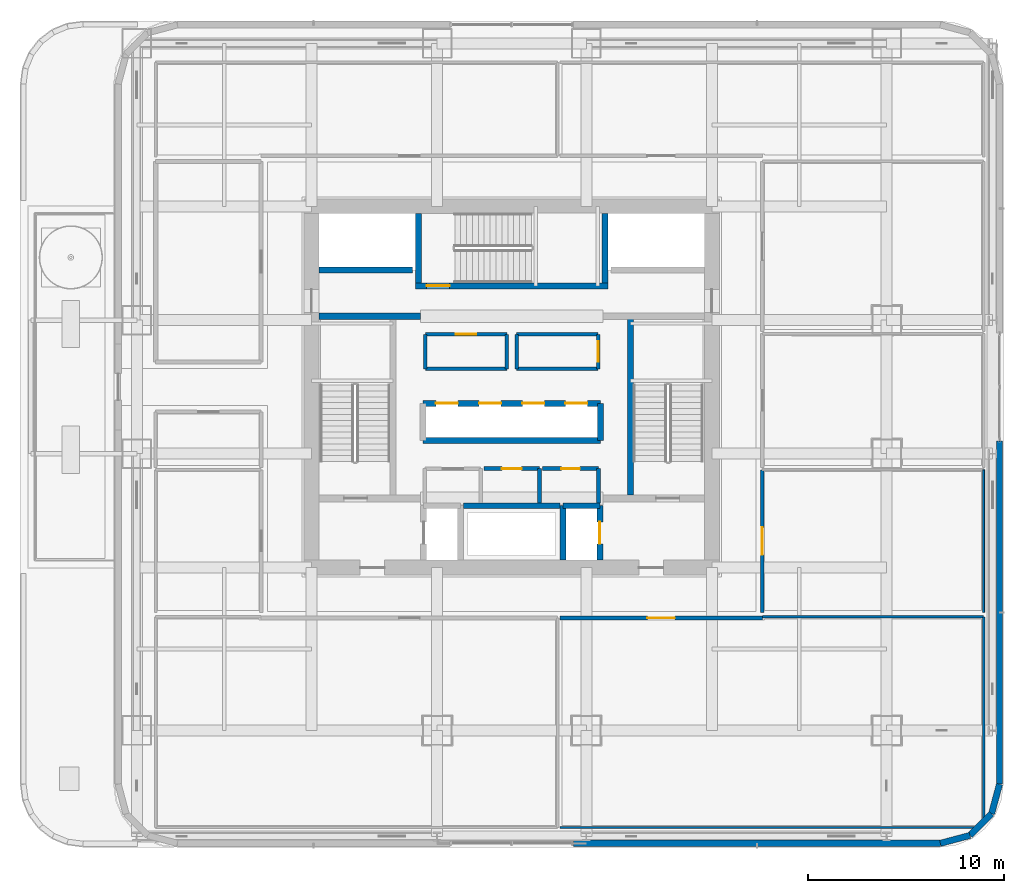
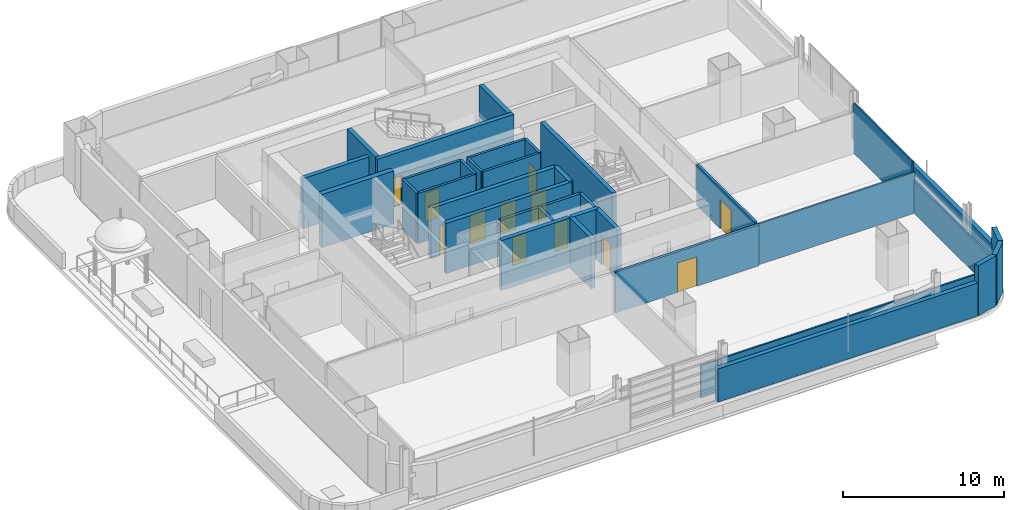
# One storey, part 12 of 27: 36 walls, 12 doors, 12 openings.
"""IFC4 building model written with IfcOpenShell, lengths in metres."""

from ifc_helpers import new_model, si_unit, direction, frame, frame_2d, origin, place, context, subcontext, project, spatial, rectangle, extrude, material, layer, layer_set, type_object, element, fill, save


model = new_model("IFC4")

# Units and contexts
model_context = context("Model", 3, precision=1e-05, world=origin(), true_north=direction((0.0, 1.0)))
body_context = subcontext(model_context, "Body", "Model", "MODEL_VIEW")
ifc_project = project(units=[si_unit("LENGTHUNIT", "METRE"), si_unit("AREAUNIT", "SQUARE_METRE"), si_unit("VOLUMEUNIT", "CUBIC_METRE"), si_unit("PLANEANGLEUNIT", "RADIAN"), si_unit("MASSUNIT", "GRAM", prefix="KILO")], contexts=[model_context])

# Site, building, storey
site_placement = place(None, origin())
site = spatial("IfcSite", under=ifc_project, at=site_placement, CompositionType="ELEMENT")
building_placement = place(site_placement, origin())
building = spatial("IfcBuilding", under=site, at=building_placement, Name="Punatoya Terracotta Tower", CompositionType="ELEMENT")
storey_placement = place(building_placement, frame((0.0, 0.0, 60.60009765625)))
storey = spatial("IfcBuildingStorey", under=building, at=storey_placement, Name="L13", CompositionType="ELEMENT", Elevation=60.60009765625)

# Wall
ifc_material_1 = material(Name="Gypsum Fireboard + Steel Stud", Category="steel")
ifc_layer_1 = layer(ifc_material_1, 0.179931640625)
ifc_layer_set_1 = layer_set([ifc_layer_1], Name="Gypsum Fireboard + Steel Stud")
wall_type_1 = type_object("IfcWallType", Name="WL-CORR-180", PredefinedType="PARTITIONING", material=ifc_layer_set_1)
wall_1_placement = place(storey_placement, frame((-0.25, 0.919921875, 0.0), z_axis=(0.0, 0.0, 1.0), x_axis=(0.0, 1.0, 0.0)))
element("IfcWall", 1, at=wall_1_placement, inside=storey, type_object=wall_type_1, Name="L13 West Core Focus Pod Partition 08", PredefinedType="PARTITIONING", context=body_context, shape_type="SweptSolid", body=[
    extrude(rectangle(XDim=1.760009765625, YDim=0.179931640625, at=frame_2d((0.8798828125, 0.0))), origin(), (0.0, 0.0, 1.0), 3.809814453125),
])

# Wall, opening, door
wall_2_placement = place(storey_placement, frame((-0.25, 2.679931640625, 0.0), z_axis=(0.0, 0.0, 1.0), x_axis=(-1.0, 0.0, 0.0)))
wall_2 = element("IfcWall", 2, at=wall_2_placement, inside=storey, type_object=wall_type_1, Name="L13 West Core Focus Pod Partition 09", PredefinedType="PARTITIONING", context=body_context, shape_type="SweptSolid", body=[
    extrude(rectangle(XDim=4.14990234375, YDim=0.179931640625, at=frame_2d((2.074951171875, 0.0))), origin(), (0.0, 0.0, 1.0), 3.809814453125),
])
opening_1_placement = place(wall_2_placement, frame((1.550048828125, 0.0, 0.0)))
opening_1 = element("IfcOpeningElement", 3, at=opening_1_placement, cuts=wall_2, Name="Opening OD-01", PredefinedType="OPENING", context=body_context, shape_type="SweptSolid", body=[
    extrude(rectangle(XDim=1.050048828125, YDim=2.199951171875, at=frame_2d((0.52490234375, 1.10009765625))), frame((0.0, 0.099853515625, 0.0), z_axis=(0.0, -1.0, 0.0), x_axis=(1.0, 0.0, 0.0)), (0.0, 0.0, 1.0), 0.199951171875),
])
ifc_material_2 = material(Name="Bengal Teak Solid-Core Leaf")
door_type_1 = type_object("IfcDoorType", Name="DR-OFF-1050", OperationType="NOTDEFINED", PredefinedType="DOOR", material=ifc_material_2)
door_1_placement = place(opening_1_placement, origin())
door_1 = element("IfcDoor", 4, at=door_1_placement, inside=storey, type_object=door_type_1, Name="L13 West Focus Pod Door", OperationType="SINGLE_SWING_LEFT", OverallHeight=2.199951171875, OverallWidth=1.050048828125, PredefinedType="DOOR", context=body_context, shape_type="SweptSolid", body=[
    extrude(rectangle(XDim=1.050048828125, YDim=2.199951171875, at=frame_2d((0.52490234375, 1.10009765625))), frame((0.0, 0.02490234375, 0.0), z_axis=(0.0, -1.0, 0.0), x_axis=(1.0, 0.0, 0.0)), (0.0, 0.0, 1.0), 0.050048828125),
])
fill(opening_1, door_1)

# Walls
wall_3_placement = place(storey_placement, frame((-4.39990234375, 2.679931640625, 0.0), z_axis=(0.0, 0.0, 1.0), x_axis=(0.0, -1.0, 0.0)))
element("IfcWall", 5, at=wall_3_placement, inside=storey, type_object=wall_type_1, Name="L13 West Core Focus Pod Partition 10", PredefinedType="PARTITIONING", context=body_context, shape_type="SweptSolid", body=[
    extrude(rectangle(XDim=1.760009765625, YDim=0.179931640625, at=frame_2d((0.8798828125, 0.0))), origin(), (0.0, 0.0, 1.0), 3.809814453125),
])
wall_4_placement = place(storey_placement, frame((-4.39990234375, 0.919921875, 0.0), z_axis=(0.0, 0.0, 1.0), x_axis=(1.0, 0.0, 0.0)))
element("IfcWall", 6, at=wall_4_placement, inside=storey, type_object=wall_type_1, Name="L13 West Core Focus Pod Partition 11", PredefinedType="PARTITIONING", context=body_context, shape_type="SweptSolid", body=[
    extrude(rectangle(XDim=4.14990234375, YDim=0.179931640625, at=frame_2d((2.074951171875, 0.0))), origin(), (0.0, 0.0, 1.0), 3.809814453125),
])

# Wall, opening, door
wall_5_placement = place(storey_placement, frame((4.39990234375, 0.919921875, 0.0), z_axis=(0.0, 0.0, 1.0), x_axis=(0.0, 1.0, 0.0)))
wall_5 = element("IfcWall", 7, at=wall_5_placement, inside=storey, type_object=wall_type_1, Name="L13 East Core Wellness Room Partition 12", PredefinedType="PARTITIONING", context=body_context, shape_type="SweptSolid", body=[
    extrude(rectangle(XDim=1.760009765625, YDim=0.179931640625, at=frame_2d((0.8798828125, 0.0))), origin(), (0.0, 0.0, 1.0), 3.809814453125),
])
opening_2_placement = place(wall_5_placement, frame((0.35498046875, 0.0, 0.0)))
opening_2 = element("IfcOpeningElement", 8, at=opening_2_placement, cuts=wall_5, Name="Opening OD-01", PredefinedType="OPENING", context=body_context, shape_type="SweptSolid", body=[
    extrude(rectangle(XDim=1.050048828125, YDim=2.199951171875, at=frame_2d((0.52490234375, 1.10009765625))), frame((0.0, 0.099853515625, 0.0), z_axis=(0.0, -1.0, 0.0), x_axis=(1.0, 0.0, 0.0)), (0.0, 0.0, 1.0), 0.199951171875),
])
door_2_placement = place(opening_2_placement, origin())
door_2 = element("IfcDoor", 9, at=door_2_placement, inside=storey, type_object=door_type_1, Name="L13 East Wellness Room Door", OperationType="SINGLE_SWING_RIGHT", OverallHeight=2.199951171875, OverallWidth=1.050048828125, PredefinedType="DOOR", context=body_context, shape_type="SweptSolid", body=[
    extrude(rectangle(XDim=1.050048828125, YDim=2.199951171875, at=frame_2d((0.52490234375, 1.10009765625))), frame((0.0, 0.02490234375, 0.0), z_axis=(0.0, -1.0, 0.0), x_axis=(1.0, 0.0, 0.0)), (0.0, 0.0, 1.0), 0.050048828125),
])
fill(opening_2, door_2)

# Walls
wall_6_placement = place(storey_placement, frame((4.39990234375, 2.679931640625, 0.0), z_axis=(0.0, 0.0, 1.0), x_axis=(-1.0, 0.0, 0.0)))
element("IfcWall", 10, at=wall_6_placement, inside=storey, type_object=wall_type_1, Name="L13 East Core Wellness Room Partition 13", PredefinedType="PARTITIONING", context=body_context, shape_type="SweptSolid", body=[
    extrude(rectangle(XDim=4.14990234375, YDim=0.179931640625, at=frame_2d((2.074951171875, 0.0))), origin(), (0.0, 0.0, 1.0), 3.809814453125),
])
wall_7_placement = place(storey_placement, frame((0.25, 2.679931640625, 0.0), z_axis=(0.0, 0.0, 1.0), x_axis=(0.0, -1.0, 0.0)))
element("IfcWall", 11, at=wall_7_placement, inside=storey, type_object=wall_type_1, Name="L13 East Core Wellness Room Partition 14", PredefinedType="PARTITIONING", context=body_context, shape_type="SweptSolid", body=[
    extrude(rectangle(XDim=1.760009765625, YDim=0.179931640625, at=frame_2d((0.8798828125, 0.0))), origin(), (0.0, 0.0, 1.0), 3.809814453125),
])
wall_8_placement = place(storey_placement, frame((0.25, 0.919921875, 0.0), z_axis=(0.0, 0.0, 1.0), x_axis=(1.0, 0.0, 0.0)))
element("IfcWall", 12, at=wall_8_placement, inside=storey, type_object=wall_type_1, Name="L13 East Core Wellness Room Partition 15", PredefinedType="PARTITIONING", context=body_context, shape_type="SweptSolid", body=[
    extrude(rectangle(XDim=4.14990234375, YDim=0.179931640625, at=frame_2d((2.074951171875, 0.0))), origin(), (0.0, 0.0, 1.0), 3.809814453125),
])

# Wall, opening, door
wall_9_placement = place(storey_placement, frame((2.4599609375, -11.77001953125, 0.0), z_axis=(0.0, 0.0, 1.0), x_axis=(1.0, 0.0, 0.0)))
wall_9 = element("IfcWall", 13, at=wall_9_placement, inside=storey, type_object=wall_type_1, Name="L13 Media Broadcast Studio Partition 21", PredefinedType="PARTITIONING", context=body_context, shape_type="SweptSolid", body=[
    extrude(rectangle(XDim=10.31005859375, YDim=0.179931640625, at=frame_2d((5.155029296875, 0.0))), origin(), (0.0, 0.0, 1.0), 3.10400390625),
])
opening_3_placement = place(wall_9_placement, frame((4.455078125, 0.0, 0.0)))
opening_3 = element("IfcOpeningElement", 14, at=opening_3_placement, cuts=wall_9, Name="Opening BD-01", PredefinedType="OPENING", context=body_context, shape_type="SweptSolid", body=[
    extrude(rectangle(XDim=1.39990234375, YDim=2.25, at=frame_2d((0.699951171875, 1.125))), frame((0.0, 0.099853515625, 0.0), z_axis=(0.0, -1.0, 0.0), x_axis=(1.0, 0.0, 0.0)), (0.0, 0.0, 1.0), 0.199951171875),
])
ifc_material_3 = material(Name="Bengal Teak Acoustic Leaf")
door_type_2 = type_object("IfcDoorType", Name="DR-BRD-1400", OperationType="NOTDEFINED", PredefinedType="DOOR", material=ifc_material_3)
door_3_placement = place(opening_3_placement, origin())
door_3 = element("IfcDoor", 15, at=door_3_placement, inside=storey, type_object=door_type_2, Name="L13 Media Broadcast Studio Door", OperationType="SINGLE_SWING_RIGHT", OverallHeight=2.25, OverallWidth=1.39990234375, PredefinedType="DOOR", context=body_context, shape_type="SweptSolid", body=[
    extrude(rectangle(XDim=1.39990234375, YDim=2.25, at=frame_2d((0.699951171875, 1.125))), frame((0.0, 0.02490234375, 0.0), z_axis=(0.0, -1.0, 0.0), x_axis=(1.0, 0.0, 0.0)), (0.0, 0.0, 1.0), 0.050048828125),
])
fill(opening_3, door_3)

wall_10_placement = place(storey_placement, frame((12.77001953125, -11.489990234375, 0.0), z_axis=(0.0, 0.0, 1.0), x_axis=(0.0, 1.0, 0.0)))
wall_10 = element("IfcWall", 16, at=wall_10_placement, inside=storey, type_object=wall_type_1, Name="L13 Press Briefing Room Partition 30", PredefinedType="PARTITIONING", context=body_context, shape_type="SweptSolid", body=[
    extrude(rectangle(XDim=7.27197265625, YDim=0.179931640625, at=frame_2d((3.635986328125, 0.0))), origin(), (0.0, 0.0, 1.0), 3.10400390625),
])
opening_4_placement = place(wall_10_placement, frame((2.93603515625, 0.0, 0.0)))
opening_4 = element("IfcOpeningElement", 17, at=opening_4_placement, cuts=wall_10, Name="Opening BD-01", PredefinedType="OPENING", context=body_context, shape_type="SweptSolid", body=[
    extrude(rectangle(XDim=1.39990234375, YDim=2.25, at=frame_2d((0.699951171875, 1.125))), frame((0.0, 0.099853515625, 0.0), z_axis=(0.0, -1.0, 0.0), x_axis=(1.0, 0.0, 0.0)), (0.0, 0.0, 1.0), 0.199951171875),
])
door_4_placement = place(opening_4_placement, origin())
door_4 = element("IfcDoor", 18, at=door_4_placement, inside=storey, type_object=door_type_2, Name="L13 Press Briefing Room Door", OperationType="SINGLE_SWING_RIGHT", OverallHeight=2.25, OverallWidth=1.39990234375, PredefinedType="DOOR", context=body_context, shape_type="SweptSolid", body=[
    extrude(rectangle(XDim=1.39990234375, YDim=2.25, at=frame_2d((0.699951171875, 1.125))), frame((0.0, 0.02490234375, 0.0), z_axis=(0.0, -1.0, 0.0), x_axis=(1.0, 0.0, 0.0)), (0.0, 0.0, 1.0), 0.050048828125),
])
fill(opening_4, door_4)

# Walls
ifc_material_4 = material(Name="Precast concrete C40/50", Category="concrete")
ifc_layer_2 = layer(ifc_material_4, 0.320068359375)
ifc_layer_set_2 = layer_set([ifc_layer_2], Name="Precast concrete C40/50")
wall_type_2 = type_object("IfcWallType", Name="WL-EXT-320", PredefinedType="SOLIDWALL", material=ifc_layer_set_2)
wall_11_placement = place(storey_placement, frame((3.14990234375, -23.25, 0.0), z_axis=(0.0, 0.0, 1.0), x_axis=(1.0, 0.0, 0.0)))
element("IfcWall", 19, at=wall_11_placement, inside=storey, type_object=wall_type_2, Name="L13 Terracotta Braced Facade Wall S2", PredefinedType="SOLIDWALL", context=body_context, shape_type="SweptSolid", body=[
    extrude(rectangle(XDim=18.68701171875, YDim=0.320068359375, at=frame_2d((9.343505859375, 0.0))), origin(), (0.0, 0.0, 1.0), 2.52392578125),
])
wall_12_placement = place(storey_placement, frame((21.8369140625, -23.25, 0.0), z_axis=(0.0, 0.0, 1.0), x_axis=(0.966224582397, 0.257701486942, 0.0)))
element("IfcWall", 20, at=wall_12_placement, inside=storey, type_object=wall_type_2, Name="L13 Rounded Terracotta Corner Pier 02", PredefinedType="SOLIDWALL", context=body_context, shape_type="SweptSolid", body=[
    extrude(rectangle(XDim=1.565185546875, YDim=0.320068359375, at=frame_2d((0.78271484375, 0.0))), origin(), (0.0, 0.0, 1.0), 3.809814453125),
])
wall_13_placement = place(storey_placement, frame((23.34912109375, -22.8466796875, 0.0), z_axis=(0.0, 0.0, 1.0), x_axis=(0.707028130747, 0.707185422879, 0.0)))
element("IfcWall", 21, at=wall_13_placement, inside=storey, type_object=wall_type_2, Name="L13 Rounded Terracotta Corner Pier 03", PredefinedType="SOLIDWALL", context=body_context, shape_type="SweptSolid", body=[
    extrude(rectangle(XDim=1.55224609375, YDim=0.320068359375, at=frame_2d((0.776123046875, 0.0))), origin(), (0.0, 0.0, 1.0), 3.809814453125),
])
wall_14_placement = place(storey_placement, frame((24.446533203125, -21.7490234375, 0.0), z_axis=(0.0, 0.0, 1.0), x_axis=(0.257847112249, 0.966185730957, 0.0)))
element("IfcWall", 22, at=wall_14_placement, inside=storey, type_object=wall_type_2, Name="L13 Rounded Terracotta Corner Pier 04", PredefinedType="SOLIDWALL", context=body_context, shape_type="SweptSolid", body=[
    extrude(rectangle(XDim=1.565185546875, YDim=0.320068359375, at=frame_2d((0.78271484375, 0.0))), origin(), (0.0, 0.0, 1.0), 3.809814453125),
])
wall_15_placement = place(storey_placement, frame((24.85009765625, -20.23681640625, 0.0), z_axis=(0.0, 0.0, 1.0), x_axis=(0.0, 1.0, 0.0)))
element("IfcWall", 23, at=wall_15_placement, inside=storey, type_object=wall_type_2, Name="L13 Terracotta Braced Facade Wall E1", PredefinedType="SOLIDWALL", context=body_context, shape_type="SweptSolid", body=[
    extrude(rectangle(XDim=17.48681640625, YDim=0.320068359375, at=frame_2d((8.743408203125, 0.0))), origin(), (0.0, 0.0, 1.0), 2.52392578125),
])
ifc_material_5 = material(Name="Aluminium Framed Acoustic Glass Partition", Category="aluminium")
ifc_layer_3 = layer(ifc_material_5, 0.10009765625)
ifc_layer_set_3 = layer_set([ifc_layer_3], Name="Aluminium Framed Acoustic Glass Partition")
wall_type_3 = type_object("IfcWallType", Name="WL-GLZ-100", PredefinedType="PARTITIONING", material=ifc_layer_set_3)
wall_16_placement = place(storey_placement, frame((24.0400390625, -4.218017578125, 0.0), z_axis=(0.0, 0.0, 1.0), x_axis=(0.0, -1.0, 0.0)))
element("IfcWall", 24, at=wall_16_placement, inside=storey, type_object=wall_type_3, Name="L13 Press Briefing Room Partition 29", PredefinedType="PARTITIONING", context=body_context, shape_type="SweptSolid", body=[
    extrude(rectangle(XDim=7.27197265625, YDim=0.10009765625, at=frame_2d((3.635986328125, 0.0))), origin(), (0.0, 0.0, 1.0), 3.809814453125),
])
ifc_material_6 = material(Name="Concrete C40/50", Category="concrete")
ifc_layer_4 = layer(ifc_material_6, 0.199951171875)
ifc_layer_set_4 = layer_set([ifc_layer_4], Name="Concrete C40/50")
wall_type_4 = type_object("IfcWallType", Name="WL-INT-200", PredefinedType="SOLIDWALL", material=ifc_layer_set_4)
wall_17_placement = place(storey_placement, frame((1.419921875, -5.89990234375, 0.0), z_axis=(0.0, 0.0, 1.0), x_axis=(0.0, 1.0, 0.0)))
element("IfcWall", 25, at=wall_17_placement, inside=storey, type_object=wall_type_4, Name="L13 Accessible Universal Washroom Partition 04", PredefinedType="SOLIDWALL", context=body_context, shape_type="SweptSolid", body=[
    extrude(rectangle(XDim=1.739990234375, YDim=0.199951171875, at=frame_2d((0.8701171875, 0.0))), origin(), (0.0, 0.0, 1.0), 3.809814453125),
])

# Wall, opening, door
wall_18_placement = place(storey_placement, frame((1.419921875, -4.159912109375, 0.0), z_axis=(0.0, 0.0, 1.0), x_axis=(-1.0, 0.0, 0.0)))
wall_18 = element("IfcWall", 26, at=wall_18_placement, inside=storey, type_object=wall_type_4, Name="L13 Accessible Universal Washroom Partition 05", PredefinedType="SOLIDWALL", context=body_context, shape_type="SweptSolid", body=[
    extrude(rectangle(XDim=2.83984375, YDim=0.199951171875, at=frame_2d((1.419921875, 0.0))), origin(), (0.0, 0.0, 1.0), 3.809814453125),
])
opening_5_placement = place(wall_18_placement, frame((0.919921875, 0.0, 0.0)))
opening_5 = element("IfcOpeningElement", 27, at=opening_5_placement, cuts=wall_18, Name="Opening AWD-1", PredefinedType="OPENING", context=body_context, shape_type="SweptSolid", body=[
    extrude(rectangle(XDim=1.0, YDim=2.14990234375, at=frame_2d((0.5, 1.074951171875))), frame((0.0, 0.10986328125, 0.0), z_axis=(0.0, -1.0, 0.0), x_axis=(1.0, 0.0, 0.0)), (0.0, 0.0, 1.0), 0.219970703125),
])
ifc_material_7 = material(Name="Bengal Teak Accessible WC Leaf")
door_type_3 = type_object("IfcDoorType", Name="DR-ACC-1000", OperationType="NOTDEFINED", PredefinedType="DOOR", material=ifc_material_7)
door_5_placement = place(opening_5_placement, origin())
door_5 = element("IfcDoor", 28, at=door_5_placement, inside=storey, type_object=door_type_3, Name="L13 Accessible Universal Washroom Door", OperationType="SINGLE_SWING_LEFT", OverallHeight=2.14990234375, OverallWidth=1.0, PredefinedType="DOOR", context=body_context, shape_type="SweptSolid", body=[
    extrude(rectangle(XDim=1.0, YDim=2.14990234375, at=frame_2d((0.5, 1.074951171875))), frame((0.0, 0.02490234375, 0.0), z_axis=(0.0, -1.0, 0.0), x_axis=(1.0, 0.0, 0.0)), (0.0, 0.0, 1.0), 0.050048828125),
])
fill(opening_5, door_5)

# Wall
wall_19_placement = place(storey_placement, frame((4.419921875, -5.89990234375, 0.0), z_axis=(0.0, 0.0, 1.0), x_axis=(0.0, 1.0, 0.0)))
element("IfcWall", 29, at=wall_19_placement, inside=storey, type_object=wall_type_4, Name="L13 All-Gender Washroom Partition 06", PredefinedType="SOLIDWALL", context=body_context, shape_type="SweptSolid", body=[
    extrude(rectangle(XDim=1.739990234375, YDim=0.199951171875, at=frame_2d((0.8701171875, 0.0))), origin(), (0.0, 0.0, 1.0), 3.809814453125),
])

# Wall, opening, door
wall_20_placement = place(storey_placement, frame((4.419921875, -4.159912109375, 0.0), z_axis=(0.0, 0.0, 1.0), x_axis=(-1.0, 0.0, 0.0)))
wall_20 = element("IfcWall", 30, at=wall_20_placement, inside=storey, type_object=wall_type_4, Name="L13 All-Gender Washroom Partition 07", PredefinedType="SOLIDWALL", context=body_context, shape_type="SweptSolid", body=[
    extrude(rectangle(XDim=2.83984375, YDim=0.199951171875, at=frame_2d((1.419921875, 0.0))), origin(), (0.0, 0.0, 1.0), 3.809814453125),
])
opening_6_placement = place(wall_20_placement, frame((0.945068359375, 0.0, 0.0)))
opening_6 = element("IfcOpeningElement", 31, at=opening_6_placement, cuts=wall_20, Name="Opening WD-01", PredefinedType="OPENING", context=body_context, shape_type="SweptSolid", body=[
    extrude(rectangle(XDim=0.949951171875, YDim=2.14990234375, at=frame_2d((0.47509765625, 1.074951171875))), frame((0.0, 0.10986328125, 0.0), z_axis=(0.0, -1.0, 0.0), x_axis=(1.0, 0.0, 0.0)), (0.0, 0.0, 1.0), 0.219970703125),
])
ifc_material_8 = material(Name="Moisture-Resistant Laminate Timber Leaf", Category="wood")
door_type_4 = type_object("IfcDoorType", Name="DR-WC-950", OperationType="NOTDEFINED", PredefinedType="DOOR", material=ifc_material_8)
door_6_placement = place(opening_6_placement, origin())
door_6 = element("IfcDoor", 32, at=door_6_placement, inside=storey, type_object=door_type_4, Name="L13 All-Gender Washroom Door", OperationType="SINGLE_SWING_RIGHT", OverallHeight=2.14990234375, OverallWidth=0.949951171875, PredefinedType="DOOR", context=body_context, shape_type="SweptSolid", body=[
    extrude(rectangle(XDim=0.949951171875, YDim=2.14990234375, at=frame_2d((0.47509765625, 1.074951171875))), frame((0.0, 0.02490234375, 0.0), z_axis=(0.0, -1.0, 0.0), x_axis=(1.0, 0.0, 0.0)), (0.0, 0.0, 1.0), 0.050048828125),
])
fill(opening_6, door_6)

# Walls
ifc_material_9 = material(Name="Gypsum Partition + Steel Stud", Category="steel")
ifc_layer_5 = layer(ifc_material_9, 0.1201171875)
ifc_layer_set_5 = layer_set([ifc_layer_5], Name="Gypsum Partition + Steel Stud")
wall_type_5 = type_object("IfcWallType", Name="WL-OFF-120", PredefinedType="PARTITIONING", material=ifc_layer_set_5)
wall_21_placement = place(storey_placement, frame((12.77001953125, -11.7099609375, 0.0), z_axis=(0.0, 0.0, 1.0), x_axis=(1.0, 0.0, 0.0)))
element("IfcWall", 33, at=wall_21_placement, inside=storey, type_object=wall_type_5, Name="L13 Media Broadcast Studio Partition 22", PredefinedType="PARTITIONING", context=body_context, shape_type="SweptSolid", body=[
    extrude(rectangle(XDim=11.27001953125, YDim=0.1201171875, at=frame_2d((5.635009765625, 0.0))), origin(), (0.0, 0.0, 1.0), 3.10400390625),
])
wall_22_placement = place(storey_placement, frame((24.0400390625, -11.7099609375, 0.0), z_axis=(0.0, 0.0, 1.0), x_axis=(0.0, -1.0, 0.0)))
element("IfcWall", 34, at=wall_22_placement, inside=storey, type_object=wall_type_5, Name="L13 Media Broadcast Studio Partition 23", PredefinedType="PARTITIONING", context=body_context, shape_type="SweptSolid", body=[
    extrude(rectangle(XDim=10.4375, YDim=0.1201171875, at=frame_2d((5.21875, 0.0))), origin(), (0.0, 0.0, 1.0), 2.48388671875),
])
wall_23_placement = place(storey_placement, frame((23.74755859375, -22.43994140625, 0.0), z_axis=(0.0, 0.0, 1.0), x_axis=(-1.0, 0.0, 0.0)))
element("IfcWall", 35, at=wall_23_placement, inside=storey, type_object=wall_type_5, Name="L13 Media Broadcast Studio Partition 24", PredefinedType="PARTITIONING", context=body_context, shape_type="SweptSolid", body=[
    extrude(rectangle(XDim=21.28759765625, YDim=0.1201171875, at=frame_2d((10.643798828125, 0.0))), origin(), (0.0, 0.0, 1.0), 2.48388671875),
])
ifc_layer_6 = layer(ifc_material_6, 0.300048828125)
ifc_layer_set_6 = layer_set([ifc_layer_6], Name="Concrete C40/50")
wall_type_6 = type_object("IfcWallType", Name="WL-SHF-300", PredefinedType="SOLIDWALL", material=ifc_layer_set_6)
wall_24_placement = place(storey_placement, frame((6.050048828125, 3.449951171875, 0.0), z_axis=(0.0, 0.0, 1.0), x_axis=(0.0, -1.0, 0.0)))
element("IfcWall", 36, at=wall_24_placement, inside=storey, type_object=wall_type_6, Name="L13 Structural Stair Shaft Wall SW-ST2-W", PredefinedType="SOLIDWALL", context=body_context, shape_type="SweptSolid", body=[
    extrude(rectangle(XDim=8.949951171875, YDim=0.300048828125, at=frame_2d((4.47509765625, 0.0))), origin(), (0.0, 0.0, 1.0), 4.0498046875),
])
for number, where, z_axis, x_axis, name in (
    (37, (-4.75, 5.300048828125, 0.0), (0.0, 0.0, 1.0), (0.0, 1.0, 0.0), "L13 Structural Stair Shaft Wall SW-ST3-W"),
    (38, (4.75, 8.824951171875, 0.0), (0.0, 0.0, 1.0), (0.0, -1.0, 0.0), "L13 Structural Stair Shaft Wall SW-ST3-E"),
):
    element("IfcWall", number, at=place(storey_placement, frame(where, z_axis=z_axis, x_axis=x_axis)), inside=storey, type_object=wall_type_6, Name=name, PredefinedType="SOLIDWALL", context=body_context, shape_type="SweptSolid", body=[
        extrude(rectangle(XDim=3.52490234375, YDim=0.300048828125, at=frame_2d((1.762451171875, 0.0))), origin(), (0.0, 0.0, 1.0), 4.0498046875),
    ])

# Wall, opening, door
wall_25_placement = place(storey_placement, frame((-4.89990234375, 5.14990234375, 0.0), z_axis=(0.0, 0.0, 1.0), x_axis=(1.0, 0.0, 0.0)))
wall_25 = element("IfcWall", 39, at=wall_25_placement, inside=storey, type_object=wall_type_6, Name="L13 Structural Stair Shaft Wall SW-ST3-S", PredefinedType="SOLIDWALL", context=body_context, shape_type="SweptSolid", body=[
    extrude(rectangle(XDim=9.7998046875, YDim=0.300048828125, at=frame_2d((4.89990234375, 0.0))), origin(), (0.0, 0.0, 1.0), 4.0498046875),
])
opening_7_placement = place(wall_25_placement, frame((0.56005859375, 0.0, 0.0)))
opening_7 = element("IfcOpeningElement", 40, at=opening_7_placement, cuts=wall_25, Name="Opening SD-01", PredefinedType="OPENING", context=body_context, shape_type="SweptSolid", body=[
    extrude(rectangle(XDim=1.179931640625, YDim=2.199951171875, at=frame_2d((0.58984375, 1.10009765625))), frame((0.0, 0.159912109375, 0.0), z_axis=(0.0, -1.0, 0.0), x_axis=(1.0, 0.0, 0.0)), (0.0, 0.0, 1.0), 0.320068359375),
])
ifc_material_10 = material(Name="Galvanised Steel Pressurized Stair Fire Door", Category="steel")
door_type_5 = type_object("IfcDoorType", Name="DR-STR-1180", OperationType="NOTDEFINED", PredefinedType="DOOR", material=ifc_material_10)
door_7_placement = place(opening_7_placement, origin())
door_7 = element("IfcDoor", 41, at=door_7_placement, inside=storey, type_object=door_type_5, Name="L13 Stair ST-3 Core Lobby Fire Door", OperationType="SINGLE_SWING_LEFT", OverallHeight=2.199951171875, OverallWidth=1.179931640625, PredefinedType="DOOR", context=body_context, shape_type="SweptSolid", body=[
    extrude(rectangle(XDim=1.179931640625, YDim=2.199951171875, at=frame_2d((0.58984375, 1.10009765625))), frame((0.0, 0.02490234375, 0.0), z_axis=(0.0, -1.0, 0.0), x_axis=(1.0, 0.0, 0.0)), (0.0, 0.0, 1.0), 0.050048828125),
])
fill(opening_7, door_7)

wall_26_placement = place(storey_placement, frame((4.489990234375, -8.820068359375, 0.0), z_axis=(0.0, 0.0, 1.0), x_axis=(0.0, 1.0, 0.0)))
wall_26 = element("IfcWall", 42, at=wall_26_placement, inside=storey, type_object=wall_type_6, Name="L13 FFL-2 Front Hoistway Wall", PredefinedType="SOLIDWALL", context=body_context, shape_type="SweptSolid", body=[
    extrude(rectangle(XDim=2.77001953125, YDim=0.300048828125, at=frame_2d((1.385009765625, 0.0))), origin(), (0.0, 0.0, 1.0), 3.809814453125),
])
opening_8_placement = place(wall_26_placement, frame((0.824951171875, 0.0, 0.0)))
opening_8 = element("IfcOpeningElement", 43, at=opening_8_placement, cuts=wall_26, Name="Opening LD-02", PredefinedType="OPENING", context=body_context, shape_type="SweptSolid", body=[
    extrude(rectangle(XDim=1.1201171875, YDim=2.25, at=frame_2d((0.56005859375, 1.125))), frame((0.0, 0.159912109375, 0.0), z_axis=(0.0, -1.0, 0.0), x_axis=(1.0, 0.0, 0.0)), (0.0, 0.0, 1.0), 0.320068359375),
])
ifc_material_11 = material(Name="Stainless Steel Lift Landing Door", Category="steel")
door_type_6 = type_object("IfcDoorType", Name="DR-LND-1120", OperationType="NOTDEFINED", PredefinedType="DOOR", material=ifc_material_11)
door_8_placement = place(opening_8_placement, origin())
door_8 = element("IfcDoor", 44, at=door_8_placement, inside=storey, type_object=door_type_6, Name="L13 Firefighting Lift FFL-2 Sliding Landing Door", OperationType="SLIDING_TO_RIGHT", OverallHeight=2.25, OverallWidth=1.1201171875, PredefinedType="DOOR", context=body_context, shape_type="SweptSolid", body=[
    extrude(rectangle(XDim=1.1201171875, YDim=2.25, at=frame_2d((0.56005859375, 1.125))), frame((0.0, 0.02490234375, 0.0), z_axis=(0.0, -1.0, 0.0), x_axis=(1.0, 0.0, 0.0)), (0.0, 0.0, 1.0), 0.050048828125),
])
fill(opening_8, door_8)

# Walls
wall_27_placement = place(storey_placement, frame((2.610107421875, -8.820068359375, 0.0), z_axis=(0.0, 0.0, 1.0), x_axis=(0.0, 1.0, 0.0)))
element("IfcWall", 45, at=wall_27_placement, inside=storey, type_object=wall_type_6, Name="L13 FFL-2 Rear Hoistway Wall", PredefinedType="SOLIDWALL", context=body_context, shape_type="SweptSolid", body=[
    extrude(rectangle(XDim=2.77001953125, YDim=0.300048828125, at=frame_2d((1.385009765625, 0.0))), origin(), (0.0, 0.0, 1.0), 3.809814453125),
])
wall_28_placement = place(storey_placement, frame((2.610107421875, -6.050048828125, 0.0), z_axis=(0.0, 0.0, 1.0), x_axis=(1.0, 0.0, 0.0)))
element("IfcWall", 46, at=wall_28_placement, inside=storey, type_object=wall_type_6, Name="L13 FFL-2 North Hoistway Wall", PredefinedType="SOLIDWALL", context=body_context, shape_type="SweptSolid", body=[
    extrude(rectangle(XDim=1.8798828125, YDim=0.300048828125, at=frame_2d((0.93994140625, 0.0))), origin(), (0.0, 0.0, 1.0), 3.809814453125),
])

# Wall, openings, doors
wall_29_placement = place(storey_placement, frame((-4.52001953125, -0.840087890625, 0.0), z_axis=(0.0, 0.0, 1.0), x_axis=(1.0, 0.0, 0.0)))
wall_29 = element("IfcWall", 47, at=wall_29_placement, inside=storey, type_object=wall_type_6, Name="L13 South Lift Bank Front Shaft Wall", PredefinedType="SOLIDWALL", context=body_context, shape_type="SweptSolid", body=[
    extrude(rectangle(XDim=9.0400390625, YDim=0.300048828125, at=frame_2d((4.52001953125, 0.0))), origin(), (0.0, 0.0, 1.0), 3.809814453125),
])
opening_9_placement = place(wall_29_placement, frame((0.659912109375, 0.0, 0.0)))
opening_9 = element("IfcOpeningElement", 48, at=opening_9_placement, cuts=wall_29, Name="Opening LD-02", PredefinedType="OPENING", context=body_context, shape_type="SweptSolid", body=[
    extrude(rectangle(XDim=1.1201171875, YDim=2.25, at=frame_2d((0.56005859375, 1.125))), frame((0.0, 0.159912109375, 0.0), z_axis=(0.0, -1.0, 0.0), x_axis=(1.0, 0.0, 0.0)), (0.0, 0.0, 1.0), 0.320068359375),
])
opening_10_placement = place(wall_29_placement, frame((2.860107421875, 0.0, 0.0)))
opening_10 = element("IfcOpeningElement", 49, at=opening_10_placement, cuts=wall_29, Name="Opening LD-02", PredefinedType="OPENING", context=body_context, shape_type="SweptSolid", body=[
    extrude(rectangle(XDim=1.1201171875, YDim=2.25, at=frame_2d((0.56005859375, 1.125))), frame((0.0, 0.159912109375, 0.0), z_axis=(0.0, -1.0, 0.0), x_axis=(1.0, 0.0, 0.0)), (0.0, 0.0, 1.0), 0.320068359375),
])
opening_11_placement = place(wall_29_placement, frame((5.06005859375, 0.0, 0.0)))
opening_11 = element("IfcOpeningElement", 50, at=opening_11_placement, cuts=wall_29, Name="Opening LD-02", PredefinedType="OPENING", context=body_context, shape_type="SweptSolid", body=[
    extrude(rectangle(XDim=1.1201171875, YDim=2.25, at=frame_2d((0.56005859375, 1.125))), frame((0.0, 0.159912109375, 0.0), z_axis=(0.0, -1.0, 0.0), x_axis=(1.0, 0.0, 0.0)), (0.0, 0.0, 1.0), 0.320068359375),
])
opening_12_placement = place(wall_29_placement, frame((7.260009765625, 0.0, 0.0)))
opening_12 = element("IfcOpeningElement", 51, at=opening_12_placement, cuts=wall_29, Name="Opening LD-02", PredefinedType="OPENING", context=body_context, shape_type="SweptSolid", body=[
    extrude(rectangle(XDim=1.1201171875, YDim=2.25, at=frame_2d((0.56005859375, 1.125))), frame((0.0, 0.159912109375, 0.0), z_axis=(0.0, -1.0, 0.0), x_axis=(1.0, 0.0, 0.0)), (0.0, 0.0, 1.0), 0.320068359375),
])
door_9_placement = place(opening_9_placement, origin())
door_9 = element("IfcDoor", 52, at=door_9_placement, inside=storey, type_object=door_type_6, Name="L13 Lift PL-L1 Sliding Landing Door", OperationType="DOUBLE_DOOR_SLIDING", OverallHeight=2.25, OverallWidth=1.1201171875, PredefinedType="DOOR", context=body_context, shape_type="SweptSolid", body=[
    extrude(rectangle(XDim=1.1201171875, YDim=2.25, at=frame_2d((0.56005859375, 1.125))), frame((0.0, 0.02490234375, 0.0), z_axis=(0.0, -1.0, 0.0), x_axis=(1.0, 0.0, 0.0)), (0.0, 0.0, 1.0), 0.050048828125),
])
fill(opening_9, door_9)
door_10_placement = place(opening_10_placement, origin())
door_10 = element("IfcDoor", 53, at=door_10_placement, inside=storey, type_object=door_type_6, Name="L13 Lift PL-L2 Sliding Landing Door", OperationType="DOUBLE_DOOR_SLIDING", OverallHeight=2.25, OverallWidth=1.1201171875, PredefinedType="DOOR", context=body_context, shape_type="SweptSolid", body=[
    extrude(rectangle(XDim=1.1201171875, YDim=2.25, at=frame_2d((0.56005859375, 1.125))), frame((0.0, 0.02490234375, 0.0), z_axis=(0.0, -1.0, 0.0), x_axis=(1.0, 0.0, 0.0)), (0.0, 0.0, 1.0), 0.050048828125),
])
fill(opening_10, door_10)
door_11_placement = place(opening_11_placement, origin())
door_11 = element("IfcDoor", 54, at=door_11_placement, inside=storey, type_object=door_type_6, Name="L13 Lift PL-L3 Sliding Landing Door", OperationType="DOUBLE_DOOR_SLIDING", OverallHeight=2.25, OverallWidth=1.1201171875, PredefinedType="DOOR", context=body_context, shape_type="SweptSolid", body=[
    extrude(rectangle(XDim=1.1201171875, YDim=2.25, at=frame_2d((0.56005859375, 1.125))), frame((0.0, 0.02490234375, 0.0), z_axis=(0.0, -1.0, 0.0), x_axis=(1.0, 0.0, 0.0)), (0.0, 0.0, 1.0), 0.050048828125),
])
fill(opening_11, door_11)
door_12_placement = place(opening_12_placement, origin())
door_12 = element("IfcDoor", 55, at=door_12_placement, inside=storey, type_object=door_type_6, Name="L13 Lift PL-L4 Sliding Landing Door", OperationType="DOUBLE_DOOR_SLIDING", OverallHeight=2.25, OverallWidth=1.1201171875, PredefinedType="DOOR", context=body_context, shape_type="SweptSolid", body=[
    extrude(rectangle(XDim=1.1201171875, YDim=2.25, at=frame_2d((0.56005859375, 1.125))), frame((0.0, 0.02490234375, 0.0), z_axis=(0.0, -1.0, 0.0), x_axis=(1.0, 0.0, 0.0)), (0.0, 0.0, 1.0), 0.050048828125),
])
fill(opening_12, door_12)

# Walls
wall_30_placement = place(storey_placement, frame((-4.52001953125, -2.719970703125, 0.0), z_axis=(0.0, 0.0, 1.0), x_axis=(1.0, 0.0, 0.0)))
element("IfcWall", 56, at=wall_30_placement, inside=storey, type_object=wall_type_6, Name="L13 South Lift Bank Rear Shaft Wall", PredefinedType="SOLIDWALL", context=body_context, shape_type="SweptSolid", body=[
    extrude(rectangle(XDim=9.0400390625, YDim=0.300048828125, at=frame_2d((4.52001953125, 0.0))), origin(), (0.0, 0.0, 1.0), 3.809814453125),
])
wall_31_placement = place(storey_placement, frame((4.52001953125, -2.719970703125, 0.0), z_axis=(0.0, 0.0, 1.0), x_axis=(0.0, 1.0, 0.0)))
element("IfcWall", 57, at=wall_31_placement, inside=storey, type_object=wall_type_6, Name="L13 South Lift Bank East End Wall", PredefinedType="SOLIDWALL", context=body_context, shape_type="SweptSolid", body=[
    extrude(rectangle(XDim=1.8798828125, YDim=0.300048828125, at=frame_2d((0.93994140625, 0.0))), origin(), (0.0, 0.0, 1.0), 3.809814453125),
])
wall_32_placement = place(storey_placement, frame((-9.820068359375, 5.949951171875, 0.0), z_axis=(0.0, 0.0, 1.0), x_axis=(1.0, 0.0, 0.0)))
element("IfcWall", 58, at=wall_32_placement, inside=storey, type_object=wall_type_6, Name="L13 Shuttle SL-1 South Hoistway Wall", PredefinedType="SOLIDWALL", context=body_context, shape_type="SweptSolid", body=[
    extrude(rectangle(XDim=4.760009765625, YDim=0.300048828125, at=frame_2d((2.3798828125, 0.0))), origin(), (0.0, 0.0, 1.0), 3.809814453125),
])
wall_33_placement = place(storey_placement, frame((-2.449951171875, -6.050048828125, 0.0), z_axis=(0.0, 0.0, 1.0), x_axis=(1.0, 0.0, 0.0)))
element("IfcWall", 59, at=wall_33_placement, inside=storey, type_object=wall_type_6, Name="L13 Observation Shuttle Rear Hoistway Wall", PredefinedType="SOLIDWALL", context=body_context, shape_type="SweptSolid", body=[
    extrude(rectangle(XDim=4.89990234375, YDim=0.300048828125, at=frame_2d((2.449951171875, 0.0))), origin(), (0.0, 0.0, 1.0), 3.809814453125),
])
ifc_material_12 = material(Name="Concrete C50/60", Category="concrete")
ifc_layer_7 = layer(ifc_material_12, 0.35009765625)
ifc_layer_set_7 = layer_set([ifc_layer_7], Name="Concrete C50/60")
wall_type_7 = type_object("IfcWallType", Name="WL-SHF-350", PredefinedType="SOLIDWALL", material=ifc_layer_set_7)
wall_34_placement = place(storey_placement, frame((-9.824951171875, 3.60009765625, 0.0), z_axis=(0.0, 0.0, 1.0), x_axis=(1.0, 0.0, 0.0)))
element("IfcWall", 60, at=wall_34_placement, inside=storey, type_object=wall_type_7, Name="L13 Core Web Wall CNW-L", PredefinedType="SOLIDWALL", context=body_context, shape_type="SweptSolid", body=[
    extrude(rectangle(XDim=5.175048828125, YDim=0.35009765625, at=frame_2d((2.58740234375, 0.0))), origin(), (0.0, 0.0, 1.0), 4.0498046875),
])

save(model, "model.ifc")
